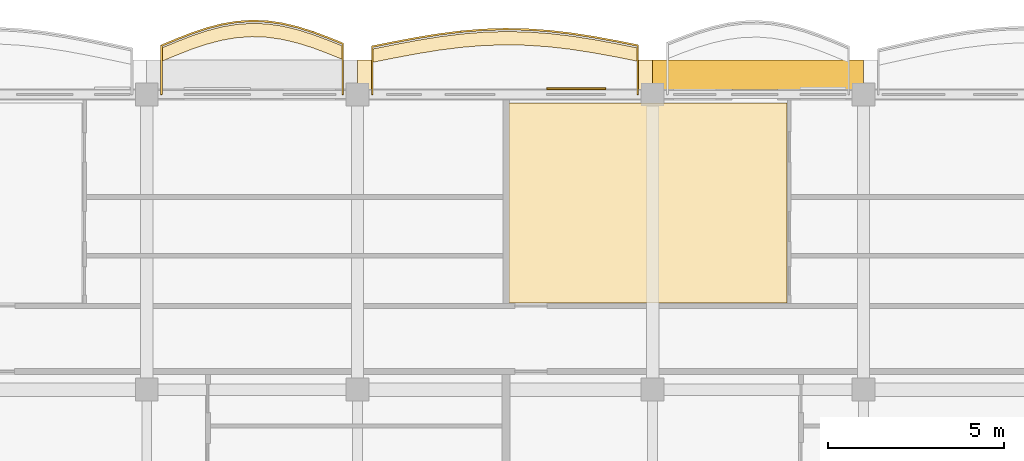
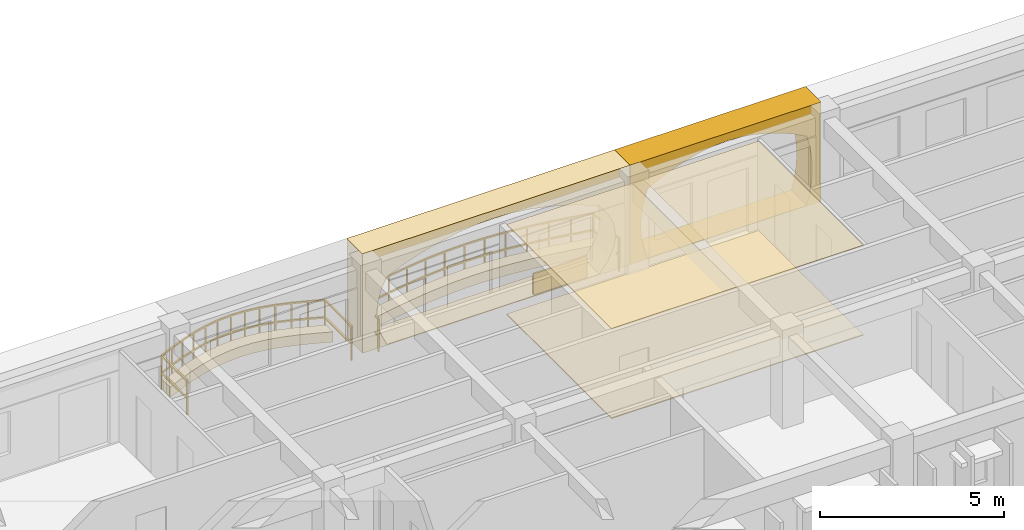
# One storey, part 55 of 66: 7 coverings, 2 railings.
"""IFC4 building model written with IfcOpenShell, lengths in metres."""

import ifcopenshell
import ifcopenshell.guid

model = None  # the IFC model being written
_history = None  # IfcOwnerHistory: only IFC2X3 demands one
_inside = {}  # id of a spatial element -> (the spatial element, [elements in it])
_under = {}  # id of a project, library or spatial element -> (it, [spatial elements below it])
_declared = {}  # id of a project -> (the project, [libraries it declares])
_typed = {}  # id of a type object -> (the type object, [elements of that type])
_made_of = {}  # id of a material, layer set ... -> (it, [elements and type objects made of it])


def new_model(schema):
    """Start an empty IFC model of exactly this schema.

    Asked for "IFC4X3", IfcOpenShell would pick the latest addendum, in which some entities
    have other attributes; the version numbers below select the first issue.
    IFC2X3 requires an IfcOwnerHistory on every rooted entity: one is made here for all.
    """
    global model, _history
    if schema == "IFC4X3":
        model = ifcopenshell.file(schema_version=(4, 3, 0, 0))
    else:
        model = ifcopenshell.file(schema=schema)
    _inside.clear()
    _under.clear()
    _declared.clear()
    _typed.clear()
    _made_of.clear()
    _history = None
    if model.schema == "IFC2X3":
        org = make("IfcOrganization", Name="unknown")
        user = make(
            "IfcPersonAndOrganization",
            ThePerson=make("IfcPerson", FamilyName="unknown"),
            TheOrganization=org,
        )
        app = make(
            "IfcApplication",
            ApplicationDeveloper=org,
            Version="unknown",
            ApplicationFullName="unknown",
            ApplicationIdentifier="unknown",
        )
        _history = make(
            "IfcOwnerHistory",
            OwningUser=user,
            OwningApplication=app,
            ChangeAction="ADDED",
            CreationDate=0,
        )
    return model


def make(cls, **values):
    """One entity of the class cls with the attributes given. An attribute that is None is left unset."""
    return model.create_entity(
        cls, **{name: value for name, value in values.items() if value is not None}
    )


def rooted(cls, **values):
    """An entity with a GlobalId (a new one), such as an element, a storey or a relation."""
    return make(cls, GlobalId=ifcopenshell.guid.new(), OwnerHistory=_history, **values)


def si_unit(unit_type, name, prefix=None):
    """IfcSIUnit, for example si_unit("LENGTHUNIT", "METRE", prefix="MILLI")."""
    return make("IfcSIUnit", UnitType=unit_type, Prefix=prefix, Name=name)


def assignment(units):
    """IfcUnitAssignment: the units of a project."""
    return None if units is None else make("IfcUnitAssignment", Units=units)


def point(xyz):
    """IfcCartesianPoint."""
    return None if xyz is None else make("IfcCartesianPoint", Coordinates=xyz)


def direction(xyz):
    """IfcDirection."""
    return None if xyz is None else make("IfcDirection", DirectionRatios=xyz)


def frame(location, z_axis=None, x_axis=None):
    """IfcAxis2Placement3D, a coordinate frame: its origin and axes. An axis left out is left unset."""
    return make(
        "IfcAxis2Placement3D",
        Location=point(location),
        Axis=direction(z_axis),
        RefDirection=direction(x_axis),
    )


def frame_2d(location, x_axis=None):
    """IfcAxis2Placement2D, a coordinate frame in the plane: its origin and x axis."""
    return make(
        "IfcAxis2Placement2D", Location=point(location), RefDirection=direction(x_axis)
    )


def origin():
    """The frame at (0, 0, 0) with its axes left unset."""
    return frame((0.0, 0.0, 0.0))


def origin_2d():
    """The frame at (0, 0) in the plane with its x axis left unset."""
    return frame_2d((0.0, 0.0))


def place(relative_to, where):
    """IfcLocalPlacement: puts the frame where relative to a parent placement (None: the world)."""
    return make(
        "IfcLocalPlacement", PlacementRelTo=relative_to, RelativePlacement=where
    )


def context(
    kind, dimensions, precision=None, world=None, true_north=None, identifier=None
):
    """IfcGeometricRepresentationContext, for example the 3D "Model" context."""
    return make(
        "IfcGeometricRepresentationContext",
        ContextIdentifier=identifier,
        ContextType=kind,
        CoordinateSpaceDimension=dimensions,
        Precision=precision,
        WorldCoordinateSystem=world,
        TrueNorth=true_north,
    )


def subcontext(parent, identifier, kind, view, scale=None):
    """IfcGeometricRepresentationSubContext, for example "Body" below "Model"."""
    return make(
        "IfcGeometricRepresentationSubContext",
        ContextIdentifier=identifier,
        ContextType=kind,
        ParentContext=parent,
        TargetScale=scale,
        TargetView=view,
    )


def project(units=None, contexts=None):
    """IfcProject with its units and contexts."""
    return rooted(
        "IfcProject",
        Name="project",
        RepresentationContexts=contexts,
        UnitsInContext=assignment(units),
    )


def spatial(cls, under=None, at=None, **own):
    """A site, building, storey or space (cls), placed at a placement, below another one or the project."""
    s = rooted(cls, ObjectPlacement=at, **own)
    if under is not None:
        _under.setdefault(under.id(), (under, []))[1].append(s)
    return s


def polyline(points):
    """IfcPolyline through the points."""
    return make("IfcPolyline", Points=[point(p) for p in points])


def profile(cls, at=None, kind="AREA", **sizes):
    """A parametric profile (cls). Its sizes go by their IFC names, for example OverallWidth=200.0."""
    return make(cls, ProfileType=kind, Position=at, **sizes)


def rectangle(**sizes):
    """IfcRectangleProfileDef."""
    return profile("IfcRectangleProfileDef", **sizes)


def outline(outer, holes=None, kind="AREA"):
    """IfcArbitraryClosedProfileDef: a profile drawn as a closed curve; with holes, ...WithVoids."""
    if holes is None:
        return make("IfcArbitraryClosedProfileDef", ProfileType=kind, OuterCurve=outer)
    return make(
        "IfcArbitraryProfileDefWithVoids",
        ProfileType=kind,
        OuterCurve=outer,
        InnerCurves=holes,
    )


def extrude(swept, where, along, depth):
    """IfcExtrudedAreaSolid: the profile swept, set in the frame where, extruded along a direction by depth."""
    return make(
        "IfcExtrudedAreaSolid",
        SweptArea=swept,
        Position=where,
        ExtrudedDirection=direction(along),
        Depth=depth,
    )


def shape(context_of_items, identifier, shape_type, items):
    """IfcShapeRepresentation: the items that make up one representation, for example the "Body"."""
    return make(
        "IfcShapeRepresentation",
        ContextOfItems=context_of_items,
        RepresentationIdentifier=identifier,
        RepresentationType=shape_type,
        Items=items,
    )


def material(Name=None, Category=None):
    """IfcMaterial."""
    return make("IfcMaterial", Name=Name, Category=Category)


def layer(
    of_material, thickness, ventilated=None, Name=None, Category=None, Priority=None
):
    """IfcMaterialLayer: one layer of a wall or slab, of a material (None: an air gap)."""
    return make(
        "IfcMaterialLayer",
        Material=of_material,
        LayerThickness=thickness,
        IsVentilated=ventilated,
        Name=Name,
        Category=Category,
        Priority=Priority,
    )


def layer_set(layers, Name=None):
    """IfcMaterialLayerSet."""
    return make("IfcMaterialLayerSet", MaterialLayers=layers, LayerSetName=Name)


def made_of(thing, what):
    """Note that an element or type object is made of a material, layer set ...; save() writes the relation."""
    if what is not None:
        _made_of.setdefault(what.id(), (what, []))[1].append(thing)
    return thing


def type_object(cls, material=None, **own):
    """A type object (cls), such as IfcWallType, which elements share."""
    return made_of(rooted(cls, **own), material)


def element(
    cls,
    number,
    at=None,
    inside=None,
    cuts=None,
    type_object=None,
    material=None,
    context=None,
    identifier="Body",
    shape_type=None,
    held_by="IfcProductDefinitionShape",
    body=None,
    shapes=None,
    **own,
):
    """One element of the class cls, such as IfcWall. Its Tag is "e" and its number.

    at: its placement. inside: the storey or other place that contains it. cuts: it is an
    opening in that element (IfcRelVoidsElement). A single representation is given by context,
    identifier, shape_type and body (its items); several are given by shapes. held_by: the class
    of the entity that holds the representations. save() writes the other relations.
    """
    e = rooted(cls, Tag="e%d" % number, ObjectPlacement=at, **own)
    if body is not None:
        shapes = [shape(context, identifier, shape_type, body)]
    if shapes is not None:
        e.Representation = make(held_by, Representations=shapes)
    if inside is not None:
        _inside.setdefault(inside.id(), (inside, []))[1].append(e)
    if cuts is not None:
        rooted(
            "IfcRelVoidsElement", RelatingBuildingElement=cuts, RelatedOpeningElement=e
        )
    if type_object is not None:
        _typed.setdefault(type_object.id(), (type_object, []))[1].append(e)
    return made_of(e, material)


def aggregate(whole, parts):
    """IfcRelAggregates: a whole, such as a stair, and the parts it consists of."""
    return rooted("IfcRelAggregates", RelatingObject=whole, RelatedObjects=parts)


def save(model, path):
    """Write the relations noted so far, then the file.

    IfcRelAggregates (storeys below a building ...), IfcRelContainedInSpatialStructure (elements
    in a storey), IfcRelDefinesByType, IfcRelAssociatesMaterial and IfcRelDeclares: one each for
    every whole, place, type object, material and project.
    """
    for whole, parts in _under.values():
        aggregate(whole, parts)
    for where, things in _inside.values():
        rooted(
            "IfcRelContainedInSpatialStructure",
            RelatedElements=things,
            RelatingStructure=where,
        )
    for kind, things in _typed.values():
        rooted("IfcRelDefinesByType", RelatedObjects=things, RelatingType=kind)
    for what, things in _made_of.values():
        rooted("IfcRelAssociatesMaterial", RelatedObjects=things, RelatingMaterial=what)
    for by, libraries in _declared.values():
        rooted("IfcRelDeclares", RelatingContext=by, RelatedDefinitions=libraries)
    model.write(path)


model = new_model("IFC4")

# Units and contexts
model_context = context("Model", 3, precision=1e-05, world=origin(), true_north=direction((0.0, 1.0)))
body_context = subcontext(model_context, "Body", "Model", "MODEL_VIEW")
ifc_project = project(units=[si_unit("LENGTHUNIT", "METRE"), si_unit("AREAUNIT", "SQUARE_METRE"), si_unit("VOLUMEUNIT", "CUBIC_METRE"), si_unit("PLANEANGLEUNIT", "RADIAN"), si_unit("MASSUNIT", "GRAM", prefix="KILO"), si_unit("THERMODYNAMICTEMPERATUREUNIT", "KELVIN")], contexts=[model_context])

# Site, building, storey
site_placement = place(None, origin())
site = spatial("IfcSite", under=ifc_project, at=site_placement, CompositionType="ELEMENT")
building_placement = place(site_placement, origin())
building = spatial("IfcBuilding", under=site, at=building_placement, Name="Thalorik Housing Commons", CompositionType="ELEMENT")
storey_placement = place(building_placement, frame((0.0, 0.0, 21.300048828125)))
storey = spatial("IfcBuildingStorey", under=building, at=storey_placement, Name="L06", CompositionType="ELEMENT", Elevation=21.300048828125)

# Coverings
ifc_material_1 = material(Name="Precast concrete C40/50", Category="concrete")
ifc_layer_1 = layer(ifc_material_1, 0.85009765625, Name="Precast concrete C40/50", Category="concrete")
ifc_layer_set_1 = layer_set([ifc_layer_1], Name="Precast concrete C40/50")
covering_type_1 = type_object("IfcCoveringType", Name="ARC-CLD-CUSH-850", PredefinedType="CLADDING", material=ifc_layer_set_1)
covering_1_placement = place(storey_placement, frame((126.60009765625, 124.16259765625, 0.0), z_axis=(0.0, 0.0, 1.0), x_axis=(-1.0, 0.0, 0.0)))
element("IfcCovering", 1, at=covering_1_placement, inside=storey, type_object=covering_type_1, Name="L06 White Precast Curved Cushion Bay Frame 2374", PredefinedType="CLADDING", context=body_context, shape_type="SweptSolid", body=[
    extrude(outline(polyline([(-3.0, 0.0), (3.0, 0.0), (3.0, 3.300048828125), (-3.0, 3.300048828125), (-3.0, 0.0)]), holes=[polyline([(2.450439453125, 0.02490234375), (2.56640625, 0.407470703125), (2.635986328125, 0.7900390625), (2.6591796875, 1.172607421875), (2.635986328125, 1.554931640625), (2.56640625, 1.9375), (2.450439453125, 2.320068359375), (2.03369140625, 2.539306640625), (1.6171875, 2.711181640625), (1.200439453125, 2.8505859375), (0.78369140625, 2.954345703125), (0.3671875, 3.018310546875), (-0.049560546875, 3.0400390625), (-0.46630859375, 3.018310546875), (-0.8828125, 2.954345703125), (-1.299560546875, 2.8505859375), (-1.71630859375, 2.711181640625), (-2.1328125, 2.539306640625), (-2.549560546875, 2.320068359375), (-2.644775390625, 1.9375), (-2.70166015625, 1.554931640625), (-2.720703125, 1.172607421875), (-2.70166015625, 0.7900390625), (-2.644775390625, 0.407470703125), (-2.549560546875, 0.02490234375), (2.450439453125, 0.02490234375)])]), frame((0.0, 0.425048828125, 0.0), z_axis=(0.0, -1.0, 0.0), x_axis=(1.0, 0.0, 0.0)), (0.0, 0.0, 1.0), 0.85009765625),
])
covering_2_placement = place(storey_placement, frame((119.39990234375, 124.16259765625, 0.0), z_axis=(0.0, 0.0, 1.0), x_axis=(-1.0, 0.0, 0.0)))
element("IfcCovering", 2, at=covering_2_placement, inside=storey, type_object=covering_type_1, Name="L06 White Precast Curved Cushion Bay Frame 2376", PredefinedType="CLADDING", context=body_context, shape_type="SweptSolid", body=[
    extrude(outline(polyline([(-4.199951171875, 0.0), (4.199951171875, 0.0), (4.199951171875, 3.300048828125), (-4.199951171875, 3.300048828125), (-4.199951171875, 0.0)]), holes=[polyline([(3.429931640625, 0.02490234375), (3.60791015625, 0.40087890625), (3.71435546875, 0.776611328125), (3.75, 1.152587890625), (3.71435546875, 1.5283203125), (3.60791015625, 1.904296875), (3.429931640625, 2.280029296875), (2.874267578125, 2.51123046875), (2.318359375, 2.693115234375), (1.762451171875, 2.840087890625), (1.206787109375, 2.94970703125), (0.65087890625, 3.01708984375), (0.094970703125, 3.0400390625), (-0.460693359375, 3.01708984375), (-1.0166015625, 2.94970703125), (-1.572509765625, 2.840087890625), (-2.12841796875, 2.693115234375), (-2.68408203125, 2.51123046875), (-3.239990234375, 2.280029296875), (-3.523193359375, 1.904296875), (-3.693359375, 1.5283203125), (-3.75, 1.152587890625), (-3.693359375, 0.776611328125), (-3.523193359375, 0.40087890625), (-3.239990234375, 0.02490234375), (3.429931640625, 0.02490234375)])]), frame((0.0, 0.425048828125, 0.0), z_axis=(0.0, -1.0, 0.0), x_axis=(1.0, 0.0, 0.0)), (0.0, 0.0, 1.0), 0.85009765625),
])
ifc_material_2 = material(Name="Terracotta red mineral fibre-cement panel", Category="masonry")
ifc_layer_2 = layer(ifc_material_2, 0.054931640625, Name="Terracotta red mineral fibre-cement panel", Category="masonry")
ifc_layer_set_2 = layer_set([ifc_layer_2], Name="Terracotta red mineral fibre-cement panel")
covering_type_2 = type_object("IfcCoveringType", Name="ARC-CLD-RED-55", PredefinedType="CLADDING", material=ifc_layer_set_2)
covering_3_placement = place(storey_placement, frame((121.419921875, 123.77001953125, 0.0498046875), z_axis=(0.0, 0.0, 1.0), x_axis=(-1.0, 0.0, 0.0)))
element("IfcCovering", 3, at=covering_3_placement, inside=storey, type_object=covering_type_2, Name="L06 De Stijl Recessed Window Spandrel 2377", PredefinedType="CLADDING", context=body_context, shape_type="SweptSolid", body=[
    extrude(rectangle(XDim=1.679931640625, YDim=0.054931640625, at=origin_2d()), origin(), (0.0, 0.0, 1.0), 0.699951171875),
])
ifc_material_3 = material(Name="Acoustic wood-wool nursery ceiling panel", Category="wood")
ifc_layer_3 = layer(ifc_material_3, 0.035888671875, Name="Acoustic wood-wool nursery ceiling panel", Category="wood")
ifc_layer_set_3 = layer_set([ifc_layer_3], Name="Acoustic wood-wool nursery ceiling panel")
covering_type_3 = type_object("IfcCoveringType", Name="ARC-COV-CEIL-06", PredefinedType="CEILING", material=ifc_layer_set_3)
covering_4_placement = place(storey_placement, frame((0.0, 0.0, 2.9638671875)))
element("IfcCovering", 4, at=covering_4_placement, inside=storey, type_object=covering_type_3, Name="L06 Sunlit Wintergarden Lounge Suspended Ceiling", PredefinedType="CEILING", context=body_context, shape_type="SweptSolid", body=[
    extrude(outline(polyline([(127.419189453125, 117.659912109375), (127.419189453125, 123.360107421875), (119.510009765625, 123.360107421875), (119.510009765625, 117.659912109375), (127.419189453125, 117.659912109375)])), origin(), (0.0, 0.0, 1.0), 0.0361328125),
])
ifc_material_4 = material(Name="Epoxy-sealed concrete plant and bicycle hub finish", Category="concrete")
ifc_layer_4 = layer(ifc_material_4, 0.031982421875, Name="Epoxy-sealed concrete plant and bicycle hub finish", Category="concrete")
ifc_layer_set_4 = layer_set([ifc_layer_4], Name="Epoxy-sealed concrete plant and bicycle hub finish")
covering_type_4 = type_object("IfcCoveringType", Name="ARC-COV-FLR-06", PredefinedType="FLOORING", material=ifc_layer_set_4)
covering_5_placement = place(storey_placement, origin())
element("IfcCovering", 5, at=covering_5_placement, inside=storey, type_object=covering_type_4, Name="L06 Sunlit Wintergarden Lounge Flooring", PredefinedType="FLOORING", context=body_context, shape_type="SweptSolid", body=[
    extrude(outline(polyline([(127.419189453125, 117.659912109375), (127.419189453125, 123.360107421875), (119.510009765625, 123.360107421875), (119.510009765625, 117.659912109375), (127.419189453125, 117.659912109375)])), origin(), (0.0, 0.0, 1.0), 0.031982421875),
])
ifc_material_5 = material(Name="Planted vegetated substrate and terracotta trough", Category="masonry")
ifc_layer_5 = layer(ifc_material_5, 0.340087890625, Name="Planted vegetated substrate and terracotta trough", Category="masonry")
ifc_layer_set_5 = layer_set([ifc_layer_5], Name="Planted vegetated substrate and terracotta trough")
covering_type_5 = type_object("IfcCoveringType", Name="ARC-COV-PLANTER", PredefinedType="USERDEFINED", material=ifc_layer_set_5)
covering_6_placement = place(storey_placement, origin())
element("IfcCovering", 6, at=covering_6_placement, inside=storey, type_object=covering_type_5, Name="L06 Balcony Slab-Edge Planted Trough 5489", ObjectType="PLANTER", PredefinedType="USERDEFINED", context=body_context, shape_type="SweptSolid", body=[
    extrude(outline(polyline([(114.780029296875, 124.976318359375), (114.35009765625, 125.150146484375), (113.919921875, 125.31005859375), (113.489990234375, 125.4453125), (113.06005859375, 125.547119140625), (112.6298828125, 125.60888671875), (112.199951171875, 125.6259765625), (111.77001953125, 125.597412109375), (111.340087890625, 125.524658203125), (110.909912109375, 125.41259765625), (110.47998046875, 125.26806640625), (110.050048828125, 125.1005859375), (109.6201171875, 124.920654296875), (109.6201171875, 124.540771484375), (110.050048828125, 124.720458984375), (110.47998046875, 124.88818359375), (110.909912109375, 125.032470703125), (111.340087890625, 125.144775390625), (111.77001953125, 125.21728515625), (112.199951171875, 125.245849609375), (112.6298828125, 125.228759765625), (113.06005859375, 125.167236328125), (113.489990234375, 125.0654296875), (113.919921875, 124.93017578125), (114.35009765625, 124.770263671875), (114.780029296875, 124.59619140625), (114.780029296875, 124.976318359375)])), origin(), (0.0, 0.0, 1.0), 0.33984375),
])
covering_7_placement = place(storey_placement, origin())
element("IfcCovering", 7, at=covering_7_placement, inside=storey, type_object=covering_type_5, Name="L06 Balcony Slab-Edge Planted Trough 5490", ObjectType="PLANTER", PredefinedType="USERDEFINED", context=body_context, shape_type="SweptSolid", body=[
    extrude(outline(polyline([(123.179931640625, 124.923583984375), (122.550048828125, 125.049560546875), (121.919921875, 125.165283203125), (121.2900390625, 125.26318359375), (120.659912109375, 125.33642578125), (120.030029296875, 125.380859375), (119.39990234375, 125.39306640625), (118.77001953125, 125.372314453125), (118.139892578125, 125.3203125), (117.510009765625, 125.240234375), (116.8798828125, 125.1376953125), (116.25, 125.01904296875), (115.6201171875, 124.892822265625), (115.6201171875, 124.5126953125), (116.25, 124.63916015625), (116.8798828125, 124.757568359375), (117.510009765625, 124.8603515625), (118.139892578125, 124.940185546875), (118.77001953125, 124.992431640625), (119.39990234375, 125.012939453125), (120.030029296875, 125.000732421875), (120.659912109375, 124.95654296875), (121.2900390625, 124.883056640625), (121.919921875, 124.785400390625), (122.550048828125, 124.669677734375), (123.179931640625, 124.543701171875), (123.179931640625, 124.923583984375)])), origin(), (0.0, 0.0, 1.0), 0.33984375),
])

# Railings
ifc_material_6 = material(Name="Steel S355", Category="steel")
railing_type_1 = type_object("IfcRailingType", Name="ARC-RL-BAL-112", PredefinedType="BALUSTRADE", material=ifc_material_6)
railing_1_placement = place(storey_placement, frame((123.179931640625, 123.60009765625, 0.0)))
element("IfcRailing", 8, at=railing_1_placement, inside=storey, type_object=railing_type_1, Name="L06 Cushion Balcony Guardrail 174", PredefinedType="BALUSTRADE", context=body_context, shape_type="SweptSolid", body=[
    extrude(rectangle(XDim=0.050048828125, YDim=0.050048828125, at=origin_2d()), frame((0.0, 0.0, 1.09521484375), z_axis=(0.0, 1.0, 0.0), x_axis=(-1.0, 0.0, 0.0)), (0.0, 0.0, 1.0), 1.3935546875),
    extrude(rectangle(XDim=0.050048828125, YDim=0.050048828125, at=origin_2d()), frame((0.0, 0.0, 0.53515625), z_axis=(0.0, 1.0, 0.0), x_axis=(-1.0, 0.0, 0.0)), (0.0, 0.0, 1.0), 1.3935546875),
    extrude(rectangle(XDim=0.050048828125, YDim=0.050048828125, at=origin_2d()), frame((0.0, 1.3935546875, 1.09521484375), z_axis=(-0.980580675691, 0.196116135138, 0.0), x_axis=(-0.196116135138, -0.980580675691, 0.0)), (0.0, 0.0, 1.0), 0.642333984375),
    extrude(rectangle(XDim=0.050048828125, YDim=0.050048828125, at=origin_2d()), frame((0.0, 1.3935546875, 0.53515625), z_axis=(-0.980580675691, 0.196116135138, 0.0), x_axis=(-0.196116135138, -0.980580675691, 0.0)), (0.0, 0.0, 1.0), 0.642333984375),
    extrude(rectangle(XDim=0.050048828125, YDim=0.050048828125, at=origin_2d()), frame((-0.6298828125, 1.51953125, 1.09521484375), z_axis=(-0.983551311417, 0.180628950644, 0.0), x_axis=(-0.180628950644, -0.983551311417, 0.0)), (0.0, 0.0, 1.0), 0.640625),
    extrude(rectangle(XDim=0.050048828125, YDim=0.050048828125, at=origin_2d()), frame((-0.6298828125, 1.51953125, 0.53515625), z_axis=(-0.983551311417, 0.180628950644, 0.0), x_axis=(-0.180628950644, -0.983551311417, 0.0)), (0.0, 0.0, 1.0), 0.640625),
    extrude(rectangle(XDim=0.050048828125, YDim=0.050048828125, at=origin_2d()), frame((-1.260009765625, 1.63525390625, 1.09521484375), z_axis=(-0.988193907646, 0.153208357775, 0.0), x_axis=(-0.153208357775, -0.988193907646, 0.0)), (0.0, 0.0, 1.0), 0.637451171875),
    extrude(rectangle(XDim=0.050048828125, YDim=0.050048828125, at=origin_2d()), frame((-1.260009765625, 1.63525390625, 0.53515625), z_axis=(-0.988193907646, 0.153208357775, 0.0), x_axis=(-0.153208357775, -0.988193907646, 0.0)), (0.0, 0.0, 1.0), 0.637451171875),
    extrude(rectangle(XDim=0.050048828125, YDim=0.050048828125, at=origin_2d()), frame((-1.889892578125, 1.73291015625, 1.09521484375), z_axis=(-0.993268305841, 0.115836404517, 0.0), x_axis=(-0.115836404517, -0.993268305841, 0.0)), (0.0, 0.0, 1.0), 0.63427734375),
    extrude(rectangle(XDim=0.050048828125, YDim=0.050048828125, at=origin_2d()), frame((-1.889892578125, 1.73291015625, 0.53515625), z_axis=(-0.993268305841, 0.115836404517, 0.0), x_axis=(-0.115836404517, -0.993268305841, 0.0)), (0.0, 0.0, 1.0), 0.63427734375),
    extrude(rectangle(XDim=0.050048828125, YDim=0.050048828125, at=origin_2d()), frame((-2.52001953125, 1.806396484375, 1.09521484375), z_axis=(-0.997548181954, 0.06998303137, 0.0), x_axis=(-0.06998303137, -0.997548181954, 0.0)), (0.0, 0.0, 1.0), 0.63134765625),
    extrude(rectangle(XDim=0.050048828125, YDim=0.050048828125, at=origin_2d()), frame((-2.52001953125, 1.806396484375, 0.53515625), z_axis=(-0.997548181954, 0.06998303137, 0.0), x_axis=(-0.06998303137, -0.997548181954, 0.0)), (0.0, 0.0, 1.0), 0.63134765625),
    extrude(rectangle(XDim=0.050048828125, YDim=0.050048828125, at=origin_2d()), frame((-3.14990234375, 1.8505859375, 1.09521484375), z_axis=(-0.999812409092, 0.01936870223, 0.0), x_axis=(-0.01936870223, -0.999812409092, 0.0)), (0.0, 0.0, 1.0), 0.630126953125),
    extrude(rectangle(XDim=0.050048828125, YDim=0.050048828125, at=origin_2d()), frame((-3.14990234375, 1.8505859375, 0.53515625), z_axis=(-0.999812409092, 0.01936870223, 0.0), x_axis=(-0.01936870223, -0.999812409092, 0.0)), (0.0, 0.0, 1.0), 0.630126953125),
    extrude(rectangle(XDim=0.050048828125, YDim=0.050048828125, at=origin_2d()), frame((-3.780029296875, 1.86279296875, 1.09521484375), z_axis=(-0.999470404779, -0.0325408969, 0.0), x_axis=(0.0325408969, -0.999470404779, 0.0)), (0.0, 0.0, 1.0), 0.630126953125),
    extrude(rectangle(XDim=0.050048828125, YDim=0.050048828125, at=origin_2d()), frame((-3.780029296875, 1.86279296875, 0.53515625), z_axis=(-0.999470404779, -0.0325408969, 0.0), x_axis=(0.0325408969, -0.999470404779, 0.0)), (0.0, 0.0, 1.0), 0.630126953125),
    extrude(rectangle(XDim=0.050048828125, YDim=0.050048828125, at=origin_2d()), frame((-4.409912109375, 1.84228515625, 1.09521484375), z_axis=(-0.996612012858, -0.08224655511, 0.0), x_axis=(0.08224655511, -0.996612012858, 0.0)), (0.0, 0.0, 1.0), 0.63232421875),
    extrude(rectangle(XDim=0.050048828125, YDim=0.050048828125, at=origin_2d()), frame((-4.409912109375, 1.84228515625, 0.53515625), z_axis=(-0.996612012858, -0.08224655511, 0.0), x_axis=(0.08224655511, -0.996612012858, 0.0)), (0.0, 0.0, 1.0), 0.63232421875),
    extrude(rectangle(XDim=0.050048828125, YDim=0.050048828125, at=origin_2d()), frame((-5.0400390625, 1.790283203125, 1.09521484375), z_axis=(-0.992015413663, -0.126116688249, 0.0), x_axis=(0.126116688249, -0.992015413663, 0.0)), (0.0, 0.0, 1.0), 0.635009765625),
    extrude(rectangle(XDim=0.050048828125, YDim=0.050048828125, at=origin_2d()), frame((-5.0400390625, 1.790283203125, 0.53515625), z_axis=(-0.992015413663, -0.126116688249, 0.0), x_axis=(0.126116688249, -0.992015413663, 0.0)), (0.0, 0.0, 1.0), 0.635009765625),
    extrude(rectangle(XDim=0.050048828125, YDim=0.050048828125, at=origin_2d()), frame((-5.669921875, 1.710205078125, 1.09521484375), z_axis=(-0.98695644982, -0.160987472055, 0.0), x_axis=(0.160987472055, -0.98695644982, 0.0)), (0.0, 0.0, 1.0), 0.638427734375),
    extrude(rectangle(XDim=0.050048828125, YDim=0.050048828125, at=origin_2d()), frame((-5.669921875, 1.710205078125, 0.53515625), z_axis=(-0.98695644982, -0.160987472055, 0.0), x_axis=(0.160987472055, -0.98695644982, 0.0)), (0.0, 0.0, 1.0), 0.638427734375),
    extrude(rectangle(XDim=0.050048828125, YDim=0.050048828125, at=origin_2d()), frame((-6.300048828125, 1.607421875, 1.09521484375), z_axis=(-0.982785832187, -0.184748499461, 0.0), x_axis=(0.184748499461, -0.982785832187, 0.0)), (0.0, 0.0, 1.0), 0.640869140625),
    extrude(rectangle(XDim=0.050048828125, YDim=0.050048828125, at=origin_2d()), frame((-6.300048828125, 1.607421875, 0.53515625), z_axis=(-0.982785832187, -0.184748499461, 0.0), x_axis=(0.184748499461, -0.982785832187, 0.0)), (0.0, 0.0, 1.0), 0.640869140625),
    extrude(rectangle(XDim=0.050048828125, YDim=0.050048828125, at=origin_2d()), frame((-6.929931640625, 1.489013671875, 1.09521484375), z_axis=(-0.980507522663, -0.196481546208, 0.0), x_axis=(0.196481546208, -0.980507522663, 0.0)), (0.0, 0.0, 1.0), 0.642333984375),
    extrude(rectangle(XDim=0.050048828125, YDim=0.050048828125, at=origin_2d()), frame((-6.929931640625, 1.489013671875, 0.53515625), z_axis=(-0.980507522663, -0.196481546208, 0.0), x_axis=(0.196481546208, -0.980507522663, 0.0)), (0.0, 0.0, 1.0), 0.642333984375),
    extrude(rectangle(XDim=0.050048828125, YDim=0.050048828125, at=origin_2d()), frame((-7.559814453125, 1.36279296875, 1.09521484375), z_axis=(0.0, -1.0, 0.0), x_axis=(1.0, 0.0, 0.0)), (0.0, 0.0, 1.0), 1.36279296875),
    extrude(rectangle(XDim=0.050048828125, YDim=0.050048828125, at=origin_2d()), frame((-7.559814453125, 1.36279296875, 0.53515625), z_axis=(0.0, -1.0, 0.0), x_axis=(1.0, 0.0, 0.0)), (0.0, 0.0, 1.0), 1.36279296875),
    extrude(rectangle(XDim=0.0419921875, YDim=0.0419921875, at=origin_2d()), origin(), (0.0, 0.0, 1.0), 1.070068359375),
    extrude(rectangle(XDim=0.0419921875, YDim=0.0419921875, at=origin_2d()), frame((0.0, 1.3935546875, 0.0)), (0.0, 0.0, 1.0), 1.070068359375),
    extrude(rectangle(XDim=0.0419921875, YDim=0.0419921875, at=origin_2d()), frame((-0.6298828125, 1.51953125, 0.0)), (0.0, 0.0, 1.0), 1.070068359375),
    extrude(rectangle(XDim=0.0419921875, YDim=0.0419921875, at=origin_2d()), frame((-1.260009765625, 1.63525390625, 0.0)), (0.0, 0.0, 1.0), 1.070068359375),
    extrude(rectangle(XDim=0.0419921875, YDim=0.0419921875, at=origin_2d()), frame((-1.889892578125, 1.73291015625, 0.0)), (0.0, 0.0, 1.0), 1.070068359375),
    extrude(rectangle(XDim=0.0419921875, YDim=0.0419921875, at=origin_2d()), frame((-2.52001953125, 1.806396484375, 0.0)), (0.0, 0.0, 1.0), 1.070068359375),
    extrude(rectangle(XDim=0.0419921875, YDim=0.0419921875, at=origin_2d()), frame((-3.14990234375, 1.8505859375, 0.0)), (0.0, 0.0, 1.0), 1.070068359375),
    extrude(rectangle(XDim=0.0419921875, YDim=0.0419921875, at=origin_2d()), frame((-3.780029296875, 1.86279296875, 0.0)), (0.0, 0.0, 1.0), 1.070068359375),
    extrude(rectangle(XDim=0.0419921875, YDim=0.0419921875, at=origin_2d()), frame((-4.409912109375, 1.84228515625, 0.0)), (0.0, 0.0, 1.0), 1.070068359375),
    extrude(rectangle(XDim=0.0419921875, YDim=0.0419921875, at=origin_2d()), frame((-5.0400390625, 1.790283203125, 0.0)), (0.0, 0.0, 1.0), 1.070068359375),
    extrude(rectangle(XDim=0.0419921875, YDim=0.0419921875, at=origin_2d()), frame((-5.669921875, 1.710205078125, 0.0)), (0.0, 0.0, 1.0), 1.070068359375),
    extrude(rectangle(XDim=0.0419921875, YDim=0.0419921875, at=origin_2d()), frame((-6.300048828125, 1.607421875, 0.0)), (0.0, 0.0, 1.0), 1.070068359375),
    extrude(rectangle(XDim=0.0419921875, YDim=0.0419921875, at=origin_2d()), frame((-6.929931640625, 1.489013671875, 0.0)), (0.0, 0.0, 1.0), 1.070068359375),
    extrude(rectangle(XDim=0.0419921875, YDim=0.0419921875, at=origin_2d()), frame((-7.559814453125, 1.36279296875, 0.0)), (0.0, 0.0, 1.0), 1.070068359375),
    extrude(rectangle(XDim=0.0419921875, YDim=0.0419921875, at=origin_2d()), frame((-7.559814453125, 0.0, 0.0)), (0.0, 0.0, 1.0), 1.070068359375),
])
railing_type_2 = type_object("IfcRailingType", Name="ARC-RL-BAL-115", PredefinedType="BALUSTRADE", material=ifc_material_6)
railing_2_placement = place(storey_placement, frame((114.780029296875, 123.60009765625, 0.0)))
element("IfcRailing", 9, at=railing_2_placement, inside=storey, type_object=railing_type_2, Name="L06 Cushion Balcony Guardrail 173", PredefinedType="BALUSTRADE", context=body_context, shape_type="SweptSolid", body=[
    extrude(rectangle(XDim=0.050048828125, YDim=0.050048828125, at=origin_2d()), frame((0.0, 0.0, 1.125), z_axis=(0.0, 1.0, 0.0), x_axis=(-1.0, 0.0, 0.0)), (0.0, 0.0, 1.0), 1.4462890625),
    extrude(rectangle(XDim=0.050048828125, YDim=0.050048828125, at=origin_2d()), frame((0.0, 0.0, 0.5498046875), z_axis=(0.0, 1.0, 0.0), x_axis=(-1.0, 0.0, 0.0)), (0.0, 0.0, 1.0), 1.4462890625),
    extrude(rectangle(XDim=0.050048828125, YDim=0.050048828125, at=origin_2d()), frame((0.0, 1.4462890625, 1.125), z_axis=(-0.927090603985, 0.374837314047, 0.0), x_axis=(-0.374837314047, -0.927090603985, 0.0)), (0.0, 0.0, 1.0), 0.463623046875),
    extrude(rectangle(XDim=0.050048828125, YDim=0.050048828125, at=origin_2d()), frame((0.0, 1.4462890625, 0.5498046875), z_axis=(-0.927090603985, 0.374837314047, 0.0), x_axis=(-0.374837314047, -0.927090603985, 0.0)), (0.0, 0.0, 1.0), 0.463623046875),
    extrude(rectangle(XDim=0.050048828125, YDim=0.050048828125, at=origin_2d()), frame((-0.429931640625, 1.6201171875, 1.125), z_axis=(-0.937330979003, 0.348440290152, 0.0), x_axis=(-0.348440290152, -0.937330979003, 0.0)), (0.0, 0.0, 1.0), 0.458984375),
    extrude(rectangle(XDim=0.050048828125, YDim=0.050048828125, at=origin_2d()), frame((-0.429931640625, 1.6201171875, 0.5498046875), z_axis=(-0.937330979003, 0.348440290152, 0.0), x_axis=(-0.348440290152, -0.937330979003, 0.0)), (0.0, 0.0, 1.0), 0.458984375),
    extrude(rectangle(XDim=0.050048828125, YDim=0.050048828125, at=origin_2d()), frame((-0.860107421875, 1.780029296875, 1.125), z_axis=(-0.953909569084, 0.300094208559, 0.0), x_axis=(-0.300094208559, -0.953909569084, 0.0)), (0.0, 0.0, 1.0), 0.45068359375),
    extrude(rectangle(XDim=0.050048828125, YDim=0.050048828125, at=origin_2d()), frame((-0.860107421875, 1.780029296875, 0.5498046875), z_axis=(-0.953909569084, 0.300094208559, 0.0), x_axis=(-0.300094208559, -0.953909569084, 0.0)), (0.0, 0.0, 1.0), 0.45068359375),
    extrude(rectangle(XDim=0.050048828125, YDim=0.050048828125, at=origin_2d()), frame((-1.2900390625, 1.915283203125, 1.125), z_axis=(-0.973090069964, 0.230425076192, 0.0), x_axis=(-0.230425076192, -0.973090069964, 0.0)), (0.0, 0.0, 1.0), 0.44189453125),
    extrude(rectangle(XDim=0.050048828125, YDim=0.050048828125, at=origin_2d()), frame((-1.2900390625, 1.915283203125, 0.5498046875), z_axis=(-0.973090069964, 0.230425076192, 0.0), x_axis=(-0.230425076192, -0.973090069964, 0.0)), (0.0, 0.0, 1.0), 0.44189453125),
    extrude(rectangle(XDim=0.050048828125, YDim=0.050048828125, at=origin_2d()), frame((-1.719970703125, 2.01708984375, 1.125), z_axis=(-0.989927008359, 0.141578664079, 0.0), x_axis=(-0.141578664079, -0.989927008359, 0.0)), (0.0, 0.0, 1.0), 0.4345703125),
    extrude(rectangle(XDim=0.050048828125, YDim=0.050048828125, at=origin_2d()), frame((-1.719970703125, 2.01708984375, 0.5498046875), z_axis=(-0.989927008359, 0.141578664079, 0.0), x_axis=(-0.141578664079, -0.989927008359, 0.0)), (0.0, 0.0, 1.0), 0.4345703125),
    extrude(rectangle(XDim=0.050048828125, YDim=0.050048828125, at=origin_2d()), frame((-2.150146484375, 2.07861328125, 1.125), z_axis=(-0.999210898113, 0.039718775053, 0.0), x_axis=(-0.039718775053, -0.999210898113, 0.0)), (0.0, 0.0, 1.0), 0.43017578125),
    extrude(rectangle(XDim=0.050048828125, YDim=0.050048828125, at=origin_2d()), frame((-2.150146484375, 2.07861328125, 0.5498046875), z_axis=(-0.999210898113, 0.039718775053, 0.0), x_axis=(-0.039718775053, -0.999210898113, 0.0)), (0.0, 0.0, 1.0), 0.43017578125),
    extrude(rectangle(XDim=0.050048828125, YDim=0.050048828125, at=origin_2d()), frame((-2.580078125, 2.095703125, 1.125), z_axis=(-0.997800175086, -0.06629336768, 0.0), x_axis=(0.06629336768, -0.997800175086, 0.0)), (0.0, 0.0, 1.0), 0.430908203125),
    extrude(rectangle(XDim=0.050048828125, YDim=0.050048828125, at=origin_2d()), frame((-2.580078125, 2.095703125, 0.5498046875), z_axis=(-0.997800175086, -0.06629336768, 0.0), x_axis=(0.06629336768, -0.997800175086, 0.0)), (0.0, 0.0, 1.0), 0.430908203125),
    extrude(rectangle(XDim=0.050048828125, YDim=0.050048828125, at=origin_2d()), frame((-3.010009765625, 2.067138671875, 1.125), z_axis=(-0.986074270485, -0.16630554136, 0.0), x_axis=(0.16630554136, -0.986074270485, 0.0)), (0.0, 0.0, 1.0), 0.43603515625),
    extrude(rectangle(XDim=0.050048828125, YDim=0.050048828125, at=origin_2d()), frame((-3.010009765625, 2.067138671875, 0.5498046875), z_axis=(-0.986074270485, -0.16630554136, 0.0), x_axis=(0.16630554136, -0.986074270485, 0.0)), (0.0, 0.0, 1.0), 0.43603515625),
    extrude(rectangle(XDim=0.050048828125, YDim=0.050048828125, at=origin_2d()), frame((-3.43994140625, 1.99462890625, 1.125), z_axis=(-0.967570603948, -0.252600725208, 0.0), x_axis=(0.252600725208, -0.967570603948, 0.0)), (0.0, 0.0, 1.0), 0.444580078125),
    extrude(rectangle(XDim=0.050048828125, YDim=0.050048828125, at=origin_2d()), frame((-3.43994140625, 1.99462890625, 0.5498046875), z_axis=(-0.967570603948, -0.252600725208, 0.0), x_axis=(0.252600725208, -0.967570603948, 0.0)), (0.0, 0.0, 1.0), 0.444580078125),
    extrude(rectangle(XDim=0.050048828125, YDim=0.050048828125, at=origin_2d()), frame((-3.8701171875, 1.88232421875, 1.125), z_axis=(-0.948035297772, -0.318165168077, 0.0), x_axis=(0.318165168077, -0.948035297772, 0.0)), (0.0, 0.0, 1.0), 0.45361328125),
    extrude(rectangle(XDim=0.050048828125, YDim=0.050048828125, at=origin_2d()), frame((-3.8701171875, 1.88232421875, 0.5498046875), z_axis=(-0.948035297772, -0.318165168077, 0.0), x_axis=(0.318165168077, -0.948035297772, 0.0)), (0.0, 0.0, 1.0), 0.45361328125),
    extrude(rectangle(XDim=0.050048828125, YDim=0.050048828125, at=origin_2d()), frame((-4.300048828125, 1.738037109375, 1.125), z_axis=(-0.931616942852, -0.363441703429, 0.0), x_axis=(0.363441703429, -0.931616942852, 0.0)), (0.0, 0.0, 1.0), 0.46142578125),
    extrude(rectangle(XDim=0.050048828125, YDim=0.050048828125, at=origin_2d()), frame((-4.300048828125, 1.738037109375, 0.5498046875), z_axis=(-0.931616942852, -0.363441703429, 0.0), x_axis=(0.363441703429, -0.931616942852, 0.0)), (0.0, 0.0, 1.0), 0.46142578125),
    extrude(rectangle(XDim=0.050048828125, YDim=0.050048828125, at=origin_2d()), frame((-4.72998046875, 1.5703125, 1.125), z_axis=(-0.922657844822, -0.385619633043, 0.0), x_axis=(0.385619633043, -0.922657844822, 0.0)), (0.0, 0.0, 1.0), 0.466064453125),
    extrude(rectangle(XDim=0.050048828125, YDim=0.050048828125, at=origin_2d()), frame((-4.72998046875, 1.5703125, 0.5498046875), z_axis=(-0.922657844822, -0.385619633043, 0.0), x_axis=(0.385619633043, -0.922657844822, 0.0)), (0.0, 0.0, 1.0), 0.466064453125),
    extrude(rectangle(XDim=0.050048828125, YDim=0.050048828125, at=origin_2d()), frame((-5.159912109375, 1.390625, 1.125), z_axis=(0.0, -1.0, 0.0), x_axis=(1.0, 0.0, 0.0)), (0.0, 0.0, 1.0), 1.390625),
    extrude(rectangle(XDim=0.050048828125, YDim=0.050048828125, at=origin_2d()), frame((-5.159912109375, 1.390625, 0.5498046875), z_axis=(0.0, -1.0, 0.0), x_axis=(1.0, 0.0, 0.0)), (0.0, 0.0, 1.0), 1.390625),
    extrude(rectangle(XDim=0.0419921875, YDim=0.0419921875, at=origin_2d()), origin(), (0.0, 0.0, 1.0), 1.099853515625),
    extrude(rectangle(XDim=0.0419921875, YDim=0.0419921875, at=origin_2d()), frame((0.0, 1.4462890625, 0.0)), (0.0, 0.0, 1.0), 1.099853515625),
    extrude(rectangle(XDim=0.0419921875, YDim=0.0419921875, at=origin_2d()), frame((-0.429931640625, 1.6201171875, 0.0)), (0.0, 0.0, 1.0), 1.099853515625),
    extrude(rectangle(XDim=0.0419921875, YDim=0.0419921875, at=origin_2d()), frame((-0.860107421875, 1.780029296875, 0.0)), (0.0, 0.0, 1.0), 1.099853515625),
    extrude(rectangle(XDim=0.0419921875, YDim=0.0419921875, at=origin_2d()), frame((-1.2900390625, 1.915283203125, 0.0)), (0.0, 0.0, 1.0), 1.099853515625),
    extrude(rectangle(XDim=0.0419921875, YDim=0.0419921875, at=origin_2d()), frame((-1.719970703125, 2.01708984375, 0.0)), (0.0, 0.0, 1.0), 1.099853515625),
    extrude(rectangle(XDim=0.0419921875, YDim=0.0419921875, at=origin_2d()), frame((-2.150146484375, 2.07861328125, 0.0)), (0.0, 0.0, 1.0), 1.099853515625),
    extrude(rectangle(XDim=0.0419921875, YDim=0.0419921875, at=origin_2d()), frame((-2.580078125, 2.095703125, 0.0)), (0.0, 0.0, 1.0), 1.099853515625),
    extrude(rectangle(XDim=0.0419921875, YDim=0.0419921875, at=origin_2d()), frame((-3.010009765625, 2.067138671875, 0.0)), (0.0, 0.0, 1.0), 1.099853515625),
    extrude(rectangle(XDim=0.0419921875, YDim=0.0419921875, at=origin_2d()), frame((-3.43994140625, 1.99462890625, 0.0)), (0.0, 0.0, 1.0), 1.099853515625),
    extrude(rectangle(XDim=0.0419921875, YDim=0.0419921875, at=origin_2d()), frame((-3.8701171875, 1.88232421875, 0.0)), (0.0, 0.0, 1.0), 1.099853515625),
    extrude(rectangle(XDim=0.0419921875, YDim=0.0419921875, at=origin_2d()), frame((-4.300048828125, 1.738037109375, 0.0)), (0.0, 0.0, 1.0), 1.099853515625),
    extrude(rectangle(XDim=0.0419921875, YDim=0.0419921875, at=origin_2d()), frame((-4.72998046875, 1.5703125, 0.0)), (0.0, 0.0, 1.0), 1.099853515625),
    extrude(rectangle(XDim=0.0419921875, YDim=0.0419921875, at=origin_2d()), frame((-5.159912109375, 1.390625, 0.0)), (0.0, 0.0, 1.0), 1.099853515625),
    extrude(rectangle(XDim=0.0419921875, YDim=0.0419921875, at=origin_2d()), frame((-5.159912109375, 0.0, 0.0)), (0.0, 0.0, 1.0), 1.099853515625),
])

save(model, "model.ifc")
